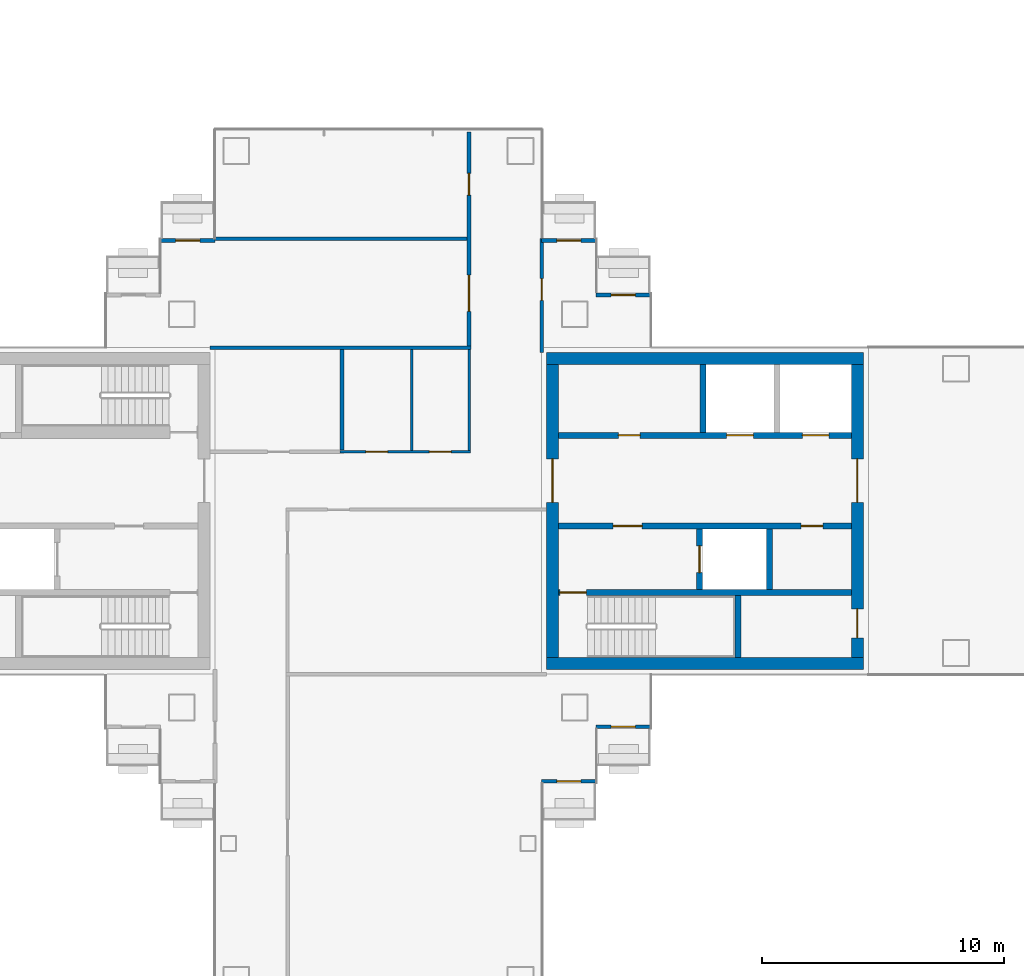
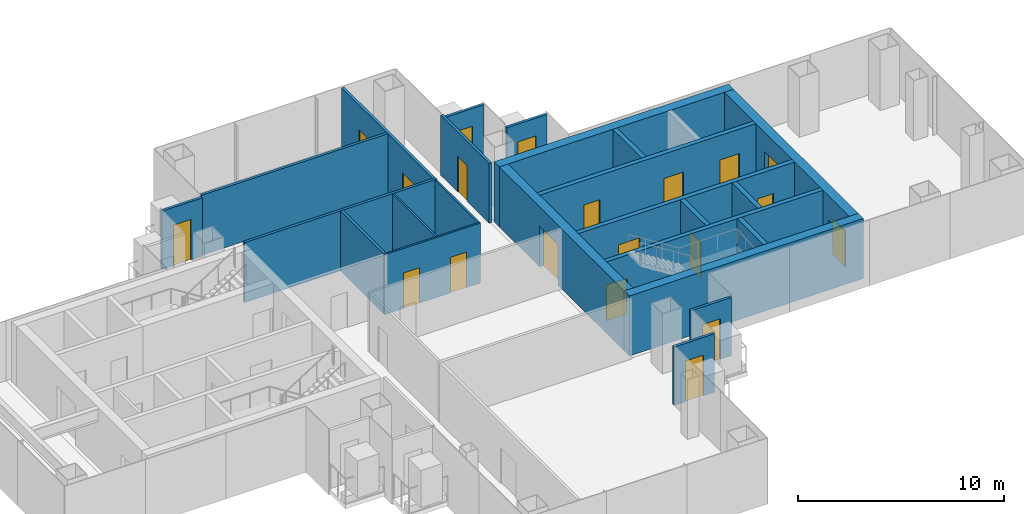
# One storey, part 10 of 16: 24 walls, 20 doors, 20 openings.
"""IFC4 building model written with IfcOpenShell, lengths in metres."""

from ifc_helpers import new_model, si_unit, direction, frame, frame_2d, origin, place, context, subcontext, project, spatial, rectangle, extrude, material, layer, layer_set, type_object, element, fill, save


model = new_model("IFC4")

# Units and contexts
model_context = context("Model", 3, precision=1e-05, world=origin(), true_north=direction((0.0, 1.0)))
body_context = subcontext(model_context, "Body", "Model", "MODEL_VIEW")
ifc_project = project(units=[si_unit("LENGTHUNIT", "METRE"), si_unit("AREAUNIT", "SQUARE_METRE"), si_unit("VOLUMEUNIT", "CUBIC_METRE"), si_unit("PLANEANGLEUNIT", "RADIAN"), si_unit("MASSUNIT", "GRAM", prefix="KILO")], contexts=[model_context])

# Site, building, storey
site_placement = place(None, origin())
site = spatial("IfcSite", under=ifc_project, at=site_placement, CompositionType="ELEMENT")
building_placement = place(site_placement, origin())
building = spatial("IfcBuilding", under=site, at=building_placement, Name="Shamsa Quay Exchange Towers", CompositionType="ELEMENT")
storey_placement = place(building_placement, frame((0.0, 0.0, 154.5)))
storey = spatial("IfcBuildingStorey", under=building, at=storey_placement, Name="L36", CompositionType="ELEMENT", Elevation=154.5)

# Wall, opening, door
ifc_material_1 = material(Name="Aluminium EN AW-6063 T6, black anodised, with black enamelled glass infill", Category="aluminium")
ifc_layer_1 = layer(ifc_material_1, 0.14990234375)
ifc_layer_set_1 = layer_set([ifc_layer_1], Name="BALCONY DOOR BAY WALL 150")
wall_type_1 = type_object("IfcWallType", Name="BALCONY DOOR BAY WALL 150", PredefinedType="SOLIDWALL", material=ifc_layer_set_1)
wall_1_placement = place(storey_placement, frame((-24.75, 8.925048828125, 0.0)))
wall_1 = element("IfcWall", 1, at=wall_1_placement, inside=storey, type_object=wall_type_1, Name="Door bay T1-PKEN L36", PredefinedType="SOLIDWALL", context=body_context, shape_type="SweptSolid", body=[
    extrude(rectangle(XDim=2.25, YDim=0.14990234375, at=frame_2d((1.125, 0.0))), origin(), (0.0, 0.0, 1.0), 3.449951171875),
])
opening_1_placement = place(wall_1_placement, frame((0.625, 0.0, 0.0)))
opening_1 = element("IfcOpeningElement", 2, at=opening_1_placement, cuts=wall_1, Name="Opening XD225", PredefinedType="OPENING", context=body_context, shape_type="SweptSolid", body=[
    extrude(rectangle(XDim=1.0, YDim=2.39990234375, at=frame_2d((0.5, 1.199951171875))), frame((0.0, 0.0849609375, 0.0), z_axis=(0.0, -1.0, 0.0), x_axis=(1.0, 0.0, 0.0)), (0.0, 0.0, 1.0), 0.169921875),
])
ifc_material_2 = material(Name="Aluminium EN AW-6063 T6, black anodised, with laminated glass leaf", Category="aluminium")
door_type_1 = type_object("IfcDoorType", Name="BALCONY DOOR 1000x2400", OperationType="SINGLE_SWING_LEFT", PredefinedType="DOOR", material=ifc_material_2)
door_1_placement = place(opening_1_placement, origin())
door_1 = element("IfcDoor", 3, at=door_1_placement, inside=storey, type_object=door_type_1, Name="Balcony door T1-PKEN L36", OperationType="SINGLE_SWING_RIGHT", OverallHeight=2.39990234375, OverallWidth=1.0, PredefinedType="DOOR", context=body_context, shape_type="SweptSolid", body=[
    extrude(rectangle(XDim=1.0, YDim=2.39990234375, at=frame_2d((0.5, 1.199951171875))), frame((0.0, 0.02490234375, 0.0), z_axis=(0.0, -1.0, 0.0), x_axis=(1.0, 0.0, 0.0)), (0.0, 0.0, 1.0), 0.050048828125),
])
fill(opening_1, door_1)

wall_2_placement = place(storey_placement, frame((-27.0, 11.175048828125, 0.0)))
wall_2 = element("IfcWall", 4, at=wall_2_placement, inside=storey, type_object=wall_type_1, Name="Door bay T1-PKEN L36", PredefinedType="SOLIDWALL", context=body_context, shape_type="SweptSolid", body=[
    extrude(rectangle(XDim=2.25, YDim=0.14990234375, at=frame_2d((1.125, 0.0))), origin(), (0.0, 0.0, 1.0), 3.449951171875),
])
opening_2_placement = place(wall_2_placement, frame((0.625, 0.0, 0.0)))
opening_2 = element("IfcOpeningElement", 5, at=opening_2_placement, cuts=wall_2, Name="Opening XD226", PredefinedType="OPENING", context=body_context, shape_type="SweptSolid", body=[
    extrude(rectangle(XDim=1.0, YDim=2.39990234375, at=frame_2d((0.5, 1.199951171875))), frame((0.0, 0.0849609375, 0.0), z_axis=(0.0, -1.0, 0.0), x_axis=(1.0, 0.0, 0.0)), (0.0, 0.0, 1.0), 0.169921875),
])
door_2_placement = place(opening_2_placement, origin())
door_2 = element("IfcDoor", 6, at=door_2_placement, inside=storey, type_object=door_type_1, Name="Balcony door T1-PKEN L36", OperationType="SINGLE_SWING_LEFT", OverallHeight=2.39990234375, OverallWidth=1.0, PredefinedType="DOOR", context=body_context, shape_type="SweptSolid", body=[
    extrude(rectangle(XDim=1.0, YDim=2.39990234375, at=frame_2d((0.5, 1.199951171875))), frame((0.0, 0.02490234375, 0.0), z_axis=(0.0, -1.0, 0.0), x_axis=(1.0, 0.0, 0.0)), (0.0, 0.0, 1.0), 0.050048828125),
])
fill(opening_2, door_2)

wall_3_placement = place(storey_placement, frame((-22.5, -8.925048828125, 0.0), z_axis=(0.0, 0.0, 1.0), x_axis=(-1.0, 0.0, 0.0)))
wall_3 = element("IfcWall", 7, at=wall_3_placement, inside=storey, type_object=wall_type_1, Name="Door bay T1-PKES L36", PredefinedType="SOLIDWALL", context=body_context, shape_type="SweptSolid", body=[
    extrude(rectangle(XDim=2.25, YDim=0.14990234375, at=frame_2d((1.125, 0.0))), origin(), (0.0, 0.0, 1.0), 3.449951171875),
])
opening_3_placement = place(wall_3_placement, frame((0.625, 0.0, 0.0)))
opening_3 = element("IfcOpeningElement", 8, at=opening_3_placement, cuts=wall_3, Name="Opening XD227", PredefinedType="OPENING", context=body_context, shape_type="SweptSolid", body=[
    extrude(rectangle(XDim=1.0, YDim=2.39990234375, at=frame_2d((0.5, 1.199951171875))), frame((0.0, 0.0849609375, 0.0), z_axis=(0.0, -1.0, 0.0), x_axis=(1.0, 0.0, 0.0)), (0.0, 0.0, 1.0), 0.169921875),
])
door_3_placement = place(opening_3_placement, origin())
door_3 = element("IfcDoor", 9, at=door_3_placement, inside=storey, type_object=door_type_1, Name="Balcony door T1-PKES L36", OperationType="SINGLE_SWING_RIGHT", OverallHeight=2.39990234375, OverallWidth=1.0, PredefinedType="DOOR", context=body_context, shape_type="SweptSolid", body=[
    extrude(rectangle(XDim=1.0, YDim=2.39990234375, at=frame_2d((0.5, 1.199951171875))), frame((0.0, 0.02490234375, 0.0), z_axis=(0.0, -1.0, 0.0), x_axis=(1.0, 0.0, 0.0)), (0.0, 0.0, 1.0), 0.050048828125),
])
fill(opening_3, door_3)

wall_4_placement = place(storey_placement, frame((-24.75, -11.175048828125, 0.0), z_axis=(0.0, 0.0, 1.0), x_axis=(-1.0, 0.0, 0.0)))
wall_4 = element("IfcWall", 10, at=wall_4_placement, inside=storey, type_object=wall_type_1, Name="Door bay T1-PKES L36", PredefinedType="SOLIDWALL", context=body_context, shape_type="SweptSolid", body=[
    extrude(rectangle(XDim=2.25, YDim=0.14990234375, at=frame_2d((1.125, 0.0))), origin(), (0.0, 0.0, 1.0), 3.449951171875),
])
opening_4_placement = place(wall_4_placement, frame((0.625, 0.0, 0.0)))
opening_4 = element("IfcOpeningElement", 11, at=opening_4_placement, cuts=wall_4, Name="Opening XD228", PredefinedType="OPENING", context=body_context, shape_type="SweptSolid", body=[
    extrude(rectangle(XDim=1.0, YDim=2.39990234375, at=frame_2d((0.5, 1.199951171875))), frame((0.0, 0.0849609375, 0.0), z_axis=(0.0, -1.0, 0.0), x_axis=(1.0, 0.0, 0.0)), (0.0, 0.0, 1.0), 0.169921875),
])
door_4_placement = place(opening_4_placement, origin())
door_4 = element("IfcDoor", 12, at=door_4_placement, inside=storey, type_object=door_type_1, Name="Balcony door T1-PKES L36", OperationType="SINGLE_SWING_LEFT", OverallHeight=2.39990234375, OverallWidth=1.0, PredefinedType="DOOR", context=body_context, shape_type="SweptSolid", body=[
    extrude(rectangle(XDim=1.0, YDim=2.39990234375, at=frame_2d((0.5, 1.199951171875))), frame((0.0, 0.02490234375, 0.0), z_axis=(0.0, -1.0, 0.0), x_axis=(1.0, 0.0, 0.0)), (0.0, 0.0, 1.0), 0.050048828125),
])
fill(opening_4, door_4)

wall_5_placement = place(storey_placement, frame((-42.75, 11.175048828125, 0.0)))
wall_5 = element("IfcWall", 13, at=wall_5_placement, inside=storey, type_object=wall_type_1, Name="Door bay T1-PKWN L36", PredefinedType="SOLIDWALL", context=body_context, shape_type="SweptSolid", body=[
    extrude(rectangle(XDim=2.25, YDim=0.14990234375, at=frame_2d((1.125, 0.0))), origin(), (0.0, 0.0, 1.0), 3.449951171875),
])
opening_5_placement = place(wall_5_placement, frame((0.625, 0.0, 0.0)))
opening_5 = element("IfcOpeningElement", 14, at=opening_5_placement, cuts=wall_5, Name="Opening XD229", PredefinedType="OPENING", context=body_context, shape_type="SweptSolid", body=[
    extrude(rectangle(XDim=1.0, YDim=2.39990234375, at=frame_2d((0.5, 1.199951171875))), frame((0.0, 0.0849609375, 0.0), z_axis=(0.0, -1.0, 0.0), x_axis=(1.0, 0.0, 0.0)), (0.0, 0.0, 1.0), 0.169921875),
])
door_5_placement = place(opening_5_placement, origin())
door_5 = element("IfcDoor", 15, at=door_5_placement, inside=storey, type_object=door_type_1, Name="Balcony door T1-PKWN L36", OperationType="SINGLE_SWING_LEFT", OverallHeight=2.39990234375, OverallWidth=1.0, PredefinedType="DOOR", context=body_context, shape_type="SweptSolid", body=[
    extrude(rectangle(XDim=1.0, YDim=2.39990234375, at=frame_2d((0.5, 1.199951171875))), frame((0.0, 0.02490234375, 0.0), z_axis=(0.0, -1.0, 0.0), x_axis=(1.0, 0.0, 0.0)), (0.0, 0.0, 1.0), 0.050048828125),
])
fill(opening_5, door_5)

# Walls
ifc_material_3 = material(Name="Concrete C60/75", Category="concrete")
ifc_layer_2 = layer(ifc_material_3, 0.5)
ifc_layer_set_2 = layer_set([ifc_layer_2], Name="CORE WALL 500 C60/75")
wall_type_2 = type_object("IfcWallType", Name="CORE WALL 500 C60/75", PredefinedType="SHEAR", material=ifc_layer_set_2)
for number, where, name in (
    (16, (-26.800048828125, -6.300048828125, 0.0), "Core wall T1A-R17-PS"),
    (17, (-26.800048828125, 6.300048828125, 0.0), "Core wall T1A-R17-PN"),
):
    element("IfcWall", number, at=place(storey_placement, frame(where)), inside=storey, type_object=wall_type_2, Name=name, PredefinedType="SHEAR", context=body_context, shape_type="SweptSolid", body=[
        extrude(rectangle(XDim=13.10009765625, YDim=0.5, at=frame_2d((6.550048828125, 0.0))), origin(), (0.0, 0.0, 1.0), 3.550048828125),
    ])

# Wall, opening, door
wall_6_placement = place(storey_placement, frame((-26.550048828125, 6.050048828125, 0.0), z_axis=(0.0, 0.0, 1.0), x_axis=(0.0, -1.0, 0.0)))
wall_6 = element("IfcWall", 18, at=wall_6_placement, inside=storey, type_object=wall_type_2, Name="Core wall T1A-R17-PF", PredefinedType="SHEAR", context=body_context, shape_type="SweptSolid", body=[
    extrude(rectangle(XDim=12.10009765625, YDim=0.5, at=frame_2d((6.050048828125, 0.0))), origin(), (0.0, 0.0, 1.0), 3.550048828125),
])
opening_6_placement = place(wall_6_placement, frame((3.89990234375, 0.0, 0.0)))
opening_6 = element("IfcOpeningElement", 19, at=opening_6_placement, cuts=wall_6, Name="Opening T1A-R17-LBD01", PredefinedType="OPENING", context=body_context, shape_type="SweptSolid", body=[
    extrude(rectangle(XDim=1.800048828125, YDim=2.39990234375, at=frame_2d((0.89990234375, 1.199951171875))), frame((0.0, 0.260009765625, 0.0), z_axis=(0.0, -1.0, 0.0), x_axis=(1.0, 0.0, 0.0)), (0.0, 0.0, 1.0), 0.52001953125),
])
ifc_material_4 = material(Name="Steel, fire rated", Category="steel")
door_type_2 = type_object("IfcDoorType", Name="LIFT LOBBY DOOR PAIR 1800", OperationType="DOUBLE_DOOR_SINGLE_SWING", PredefinedType="DOOR", material=ifc_material_4)
door_6_placement = place(opening_6_placement, origin())
door_6 = element("IfcDoor", 20, at=door_6_placement, inside=storey, type_object=door_type_2, Name="T1A-R17-LBD01", OperationType="DOUBLE_DOOR_SINGLE_SWING", OverallHeight=2.39990234375, OverallWidth=1.800048828125, PredefinedType="DOOR", context=body_context, shape_type="SweptSolid", body=[
    extrude(rectangle(XDim=1.800048828125, YDim=2.39990234375, at=frame_2d((0.89990234375, 1.199951171875))), frame((0.0, 0.02490234375, 0.0), z_axis=(0.0, -1.0, 0.0), x_axis=(1.0, 0.0, 0.0)), (0.0, 0.0, 1.0), 0.050048828125),
])
fill(opening_6, door_6)

# Wall, openings, doors
wall_7_placement = place(storey_placement, frame((-13.949951171875, 6.050048828125, 0.0), z_axis=(0.0, 0.0, 1.0), x_axis=(0.0, -1.0, 0.0)))
wall_7 = element("IfcWall", 21, at=wall_7_placement, inside=storey, type_object=wall_type_2, Name="Core wall T1A-R17-PB", PredefinedType="SHEAR", context=body_context, shape_type="SweptSolid", body=[
    extrude(rectangle(XDim=12.10009765625, YDim=0.5, at=frame_2d((6.050048828125, 0.0))), origin(), (0.0, 0.0, 1.0), 3.550048828125),
])
opening_7_placement = place(wall_7_placement, frame((10.10009765625, 0.0, 0.0)))
opening_7 = element("IfcOpeningElement", 22, at=opening_7_placement, cuts=wall_7, Name="Opening T1A-R17-RD02", PredefinedType="OPENING", context=body_context, shape_type="SweptSolid", body=[
    extrude(rectangle(XDim=1.199951171875, YDim=2.10009765625, at=frame_2d((0.60009765625, 1.050048828125))), frame((0.0, 0.260009765625, 0.0), z_axis=(0.0, -1.0, 0.0), x_axis=(1.0, 0.0, 0.0)), (0.0, 0.0, 1.0), 0.52001953125),
])
opening_8_placement = place(wall_7_placement, frame((3.89990234375, 0.0, 0.0)))
opening_8 = element("IfcOpeningElement", 23, at=opening_8_placement, cuts=wall_7, Name="Opening T1A-R17-LBD03", PredefinedType="OPENING", context=body_context, shape_type="SweptSolid", body=[
    extrude(rectangle(XDim=1.800048828125, YDim=2.39990234375, at=frame_2d((0.89990234375, 1.199951171875))), frame((0.0, 0.260009765625, 0.0), z_axis=(0.0, -1.0, 0.0), x_axis=(1.0, 0.0, 0.0)), (0.0, 0.0, 1.0), 0.52001953125),
])
door_7_placement = place(opening_8_placement, origin())
door_7 = element("IfcDoor", 24, at=door_7_placement, inside=storey, type_object=door_type_2, Name="T1A-R17-LBD03", OperationType="DOUBLE_DOOR_SINGLE_SWING", OverallHeight=2.39990234375, OverallWidth=1.800048828125, PredefinedType="DOOR", context=body_context, shape_type="SweptSolid", body=[
    extrude(rectangle(XDim=1.800048828125, YDim=2.39990234375, at=frame_2d((0.89990234375, 1.199951171875))), frame((0.0, 0.02490234375, 0.0), z_axis=(0.0, -1.0, 0.0), x_axis=(1.0, 0.0, 0.0)), (0.0, 0.0, 1.0), 0.050048828125),
])
fill(opening_8, door_7)
door_type_3 = type_object("IfcDoorType", Name="RISER ACCESS DOOR 1200", OperationType="SINGLE_SWING_LEFT", PredefinedType="DOOR", material=ifc_material_4)
door_8_placement = place(opening_7_placement, origin())
door_8 = element("IfcDoor", 25, at=door_8_placement, inside=storey, type_object=door_type_3, Name="T1A-R17-RD02", OperationType="SINGLE_SWING_RIGHT", OverallHeight=2.10009765625, OverallWidth=1.199951171875, PredefinedType="DOOR", context=body_context, shape_type="SweptSolid", body=[
    extrude(rectangle(XDim=1.199951171875, YDim=2.10009765625, at=frame_2d((0.60009765625, 1.050048828125))), frame((0.0, 0.02490234375, 0.0), z_axis=(0.0, -1.0, 0.0), x_axis=(1.0, 0.0, 0.0)), (0.0, 0.0, 1.0), 0.050048828125),
])
fill(opening_7, door_8)

ifc_material_5 = material(Name="Gypsum board partition on metal studs")
ifc_layer_3 = layer(ifc_material_5, 0.10009765625)
ifc_layer_set_3 = layer_set([ifc_layer_3], Name="Partition 100 mm NOT RATED")
wall_type_3 = type_object("IfcWallType", Name="Partition 100 mm NOT RATED", PredefinedType="PARTITIONING", material=ifc_layer_set_3)
wall_8_placement = place(storey_placement, frame((-35.324951171875, 2.4501953125, 0.0)))
wall_8 = element("IfcWall", 26, at=wall_8_placement, inside=storey, type_object=wall_type_3, Name="Partition T1-R17-W03", PredefinedType="PARTITIONING", context=body_context, shape_type="SweptSolid", body=[
    extrude(rectangle(XDim=5.375, YDim=0.10009765625, at=frame_2d((2.6875, 0.0))), origin(), (0.0, 0.0, 1.0), 3.550048828125),
])
opening_9_placement = place(wall_8_placement, frame((1.0625, 0.0, 0.0)))
opening_9 = element("IfcOpeningElement", 27, at=opening_9_placement, cuts=wall_8, Name="Opening T1-R17-D06", PredefinedType="OPENING", context=body_context, shape_type="SweptSolid", body=[
    extrude(rectangle(XDim=0.89990234375, YDim=2.10009765625, at=frame_2d((0.449951171875, 1.050048828125))), frame((0.0, 0.06005859375, 0.0), z_axis=(0.0, -1.0, 0.0), x_axis=(1.0, 0.0, 0.0)), (0.0, 0.0, 1.0), 0.1201171875),
])
opening_10_placement = place(wall_8_placement, frame((3.6875, 0.0, 0.0)))
opening_10 = element("IfcOpeningElement", 28, at=opening_10_placement, cuts=wall_8, Name="Opening T1-R17-D07", PredefinedType="OPENING", context=body_context, shape_type="SweptSolid", body=[
    extrude(rectangle(XDim=0.89990234375, YDim=2.10009765625, at=frame_2d((0.449951171875, 1.050048828125))), frame((0.0, 0.06005859375, 0.0), z_axis=(0.0, -1.0, 0.0), x_axis=(1.0, 0.0, 0.0)), (0.0, 0.0, 1.0), 0.1201171875),
])
ifc_material_6 = material(Name="Timber door leaf in a metal frame", Category="wood")
door_type_4 = type_object("IfcDoorType", Name="Door 900x2100 NOT RATED", OperationType="NOTDEFINED", PredefinedType="DOOR", material=ifc_material_6)
door_9_placement = place(opening_9_placement, origin())
door_9 = element("IfcDoor", 29, at=door_9_placement, inside=storey, type_object=door_type_4, Name="Door T1-R17-D06", OperationType="SINGLE_SWING_LEFT", OverallHeight=2.10009765625, OverallWidth=0.89990234375, PredefinedType="DOOR", context=body_context, shape_type="SweptSolid", body=[
    extrude(rectangle(XDim=0.89990234375, YDim=2.10009765625, at=frame_2d((0.449951171875, 1.050048828125))), frame((0.0, 0.02490234375, 0.0), z_axis=(0.0, -1.0, 0.0), x_axis=(1.0, 0.0, 0.0)), (0.0, 0.0, 1.0), 0.050048828125),
])
fill(opening_9, door_9)
door_10_placement = place(opening_10_placement, origin())
door_10 = element("IfcDoor", 30, at=door_10_placement, inside=storey, type_object=door_type_4, Name="Door T1-R17-D07", OperationType="SINGLE_SWING_LEFT", OverallHeight=2.10009765625, OverallWidth=0.89990234375, PredefinedType="DOOR", context=body_context, shape_type="SweptSolid", body=[
    extrude(rectangle(XDim=0.89990234375, YDim=2.10009765625, at=frame_2d((0.449951171875, 1.050048828125))), frame((0.0, 0.02490234375, 0.0), z_axis=(0.0, -1.0, 0.0), x_axis=(1.0, 0.0, 0.0)), (0.0, 0.0, 1.0), 0.050048828125),
])
fill(opening_10, door_10)

# Walls
for number, where, z_axis, x_axis, name in (
    (31, (-30.0, 2.500244140625, 0.0), (0.0, 0.0, 1.0), (0.0, 1.0, 0.0), "Partition T1-R17-W04"),
    (32, (-32.375, 2.500244140625, 0.0), (0.0, 0.0, 1.0), (0.0, 1.0, 0.0), "Partition T1-R17-W13"),
):
    element("IfcWall", number, at=place(storey_placement, frame(where, z_axis=z_axis, x_axis=x_axis)), inside=storey, type_object=wall_type_3, Name=name, PredefinedType="PARTITIONING", context=body_context, shape_type="SweptSolid", body=[
        extrude(rectangle(XDim=4.1748046875, YDim=0.10009765625, at=frame_2d((2.08740234375, 0.0))), origin(), (0.0, 0.0, 1.0), 3.550048828125),
    ])

# Wall, openings, doors
ifc_layer_4 = layer(ifc_material_5, 0.14990234375)
ifc_layer_set_4 = layer_set([ifc_layer_4], Name="Partition 150 mm EI 60")
wall_type_4 = type_object("IfcWallType", Name="Partition 150 mm EI 60", PredefinedType="PARTITIONING", material=ifc_layer_set_4)
wall_9_placement = place(storey_placement, frame((-30.0, 6.824951171875, 0.0), z_axis=(0.0, 0.0, 1.0), x_axis=(0.0, 1.0, 0.0)))
wall_9 = element("IfcWall", 33, at=wall_9_placement, inside=storey, type_object=wall_type_4, Name="Partition T1-R17-W01", PredefinedType="PARTITIONING", context=body_context, shape_type="SweptSolid", body=[
    extrude(rectangle(XDim=8.830078125, YDim=0.14990234375, at=frame_2d((4.4150390625, 0.0))), origin(), (0.0, 0.0, 1.0), 3.550048828125),
])
opening_11_placement = place(wall_9_placement, frame((1.425048828125, 0.0, 0.0)))
opening_11 = element("IfcOpeningElement", 34, at=opening_11_placement, cuts=wall_9, Name="Opening T1-R17-D08", PredefinedType="OPENING", context=body_context, shape_type="SweptSolid", body=[
    extrude(rectangle(XDim=1.5, YDim=2.10009765625, at=frame_2d((0.75, 1.050048828125))), frame((0.0, 0.0849609375, 0.0), z_axis=(0.0, -1.0, 0.0), x_axis=(1.0, 0.0, 0.0)), (0.0, 0.0, 1.0), 0.169921875),
])
opening_12_placement = place(wall_9_placement, frame((6.22509765625, 0.0, 0.0)))
opening_12 = element("IfcOpeningElement", 35, at=opening_12_placement, cuts=wall_9, Name="Opening T1-R17-D09", PredefinedType="OPENING", context=body_context, shape_type="SweptSolid", body=[
    extrude(rectangle(XDim=0.89990234375, YDim=2.10009765625, at=frame_2d((0.449951171875, 1.050048828125))), frame((0.0, 0.0849609375, 0.0), z_axis=(0.0, -1.0, 0.0), x_axis=(1.0, 0.0, 0.0)), (0.0, 0.0, 1.0), 0.169921875),
])
door_type_5 = type_object("IfcDoorType", Name="Door 1500x2100 FD30S pair", OperationType="NOTDEFINED", PredefinedType="DOOR", material=ifc_material_6)
door_11_placement = place(opening_11_placement, origin())
door_11 = element("IfcDoor", 36, at=door_11_placement, inside=storey, type_object=door_type_5, Name="Door T1-R17-D08", OperationType="DOUBLE_DOOR_SINGLE_SWING", OverallHeight=2.10009765625, OverallWidth=1.5, PredefinedType="DOOR", context=body_context, shape_type="SweptSolid", body=[
    extrude(rectangle(XDim=1.5, YDim=2.10009765625, at=frame_2d((0.75, 1.050048828125))), frame((0.0, 0.02490234375, 0.0), z_axis=(0.0, -1.0, 0.0), x_axis=(1.0, 0.0, 0.0)), (0.0, 0.0, 1.0), 0.050048828125),
])
fill(opening_11, door_11)
door_type_6 = type_object("IfcDoorType", Name="Door 900x2100 FD30S", OperationType="NOTDEFINED", PredefinedType="DOOR", material=ifc_material_6)
door_12_placement = place(opening_12_placement, origin())
door_12 = element("IfcDoor", 37, at=door_12_placement, inside=storey, type_object=door_type_6, Name="Door T1-R17-D09", OperationType="SINGLE_SWING_RIGHT", OverallHeight=2.10009765625, OverallWidth=0.89990234375, PredefinedType="DOOR", context=body_context, shape_type="SweptSolid", body=[
    extrude(rectangle(XDim=0.89990234375, YDim=2.10009765625, at=frame_2d((0.449951171875, 1.050048828125))), frame((0.0, 0.02490234375, 0.0), z_axis=(0.0, -1.0, 0.0), x_axis=(1.0, 0.0, 0.0)), (0.0, 0.0, 1.0), 0.050048828125),
])
fill(opening_12, door_12)

# Wall, opening, door
wall_10_placement = place(storey_placement, frame((-27.0, 11.25, 0.0), z_axis=(0.0, 0.0, 1.0), x_axis=(0.0, -1.0, 0.0)))
wall_10 = element("IfcWall", 38, at=wall_10_placement, inside=storey, type_object=wall_type_4, Name="Partition T1-R17-W09", PredefinedType="PARTITIONING", context=body_context, shape_type="SweptSolid", body=[
    extrude(rectangle(XDim=4.699951171875, YDim=0.14990234375, at=frame_2d((2.35009765625, 0.0))), origin(), (0.0, 0.0, 1.0), 3.550048828125),
])
opening_13_placement = place(wall_10_placement, frame((1.64990234375, 0.0, 0.0)))
opening_13 = element("IfcOpeningElement", 39, at=opening_13_placement, cuts=wall_10, Name="Opening T1-R17-D10", PredefinedType="OPENING", context=body_context, shape_type="SweptSolid", body=[
    extrude(rectangle(XDim=0.89990234375, YDim=2.10009765625, at=frame_2d((0.449951171875, 1.050048828125))), frame((0.0, 0.0849609375, 0.0), z_axis=(0.0, -1.0, 0.0), x_axis=(1.0, 0.0, 0.0)), (0.0, 0.0, 1.0), 0.169921875),
])
door_13_placement = place(opening_13_placement, origin())
door_13 = element("IfcDoor", 40, at=door_13_placement, inside=storey, type_object=door_type_6, Name="Door T1-R17-D10", OperationType="SINGLE_SWING_LEFT", OverallHeight=2.10009765625, OverallWidth=0.89990234375, PredefinedType="DOOR", context=body_context, shape_type="SweptSolid", body=[
    extrude(rectangle(XDim=0.89990234375, YDim=2.10009765625, at=frame_2d((0.449951171875, 1.050048828125))), frame((0.0, 0.02490234375, 0.0), z_axis=(0.0, -1.0, 0.0), x_axis=(1.0, 0.0, 0.0)), (0.0, 0.0, 1.0), 0.050048828125),
])
fill(opening_13, door_13)

# Walls
wall_11_placement = place(storey_placement, frame((-30.074951171875, 11.25, 0.0), z_axis=(0.0, 0.0, 1.0), x_axis=(-1.0, 0.0, 0.0)))
element("IfcWall", 41, at=wall_11_placement, inside=storey, type_object=wall_type_4, Name="Partition T1-R17-W10", PredefinedType="PARTITIONING", context=body_context, shape_type="SweptSolid", body=[
    extrude(rectangle(XDim=10.425048828125, YDim=0.14990234375, at=frame_2d((5.21240234375, 0.0))), origin(), (0.0, 0.0, 1.0), 3.550048828125),
])
wall_12_placement = place(storey_placement, frame((-40.699951171875, 6.75, 0.0)))
element("IfcWall", 42, at=wall_12_placement, inside=storey, type_object=wall_type_4, Name="Partition T1-R17-W11", PredefinedType="PARTITIONING", context=body_context, shape_type="SweptSolid", body=[
    extrude(rectangle(XDim=10.77490234375, YDim=0.14990234375, at=frame_2d((5.387451171875, 0.0))), origin(), (0.0, 0.0, 1.0), 3.550048828125),
])
wall_13_placement = place(storey_placement, frame((-35.25, 2.525146484375, 0.0), z_axis=(0.0, 0.0, 1.0), x_axis=(0.0, 1.0, 0.0)))
element("IfcWall", 43, at=wall_13_placement, inside=storey, type_object=wall_type_4, Name="Partition T1-R17-W12", PredefinedType="PARTITIONING", context=body_context, shape_type="SweptSolid", body=[
    extrude(rectangle(XDim=4.14990234375, YDim=0.14990234375, at=frame_2d((2.074951171875, 0.0))), origin(), (0.0, 0.0, 1.0), 3.550048828125),
])

# Wall, opening, door
ifc_material_7 = material(Name="Concrete C50/60", Category="concrete")
ifc_layer_5 = layer(ifc_material_7, 0.25)
ifc_layer_set_5 = layer_set([ifc_layer_5], Name="SHAFT WALL 250 C50/60")
wall_type_5 = type_object("IfcWallType", Name="SHAFT WALL 250 C50/60", PredefinedType="SHEAR", material=ifc_layer_set_5)
wall_14_placement = place(storey_placement, frame((-14.199951171875, -3.375, 0.0), z_axis=(0.0, 0.0, 1.0), x_axis=(-1.0, 0.0, 0.0)))
wall_14 = element("IfcWall", 44, at=wall_14_placement, inside=storey, type_object=wall_type_5, Name="Shaft wall T1A-R17-STL", PredefinedType="SHEAR", context=body_context, shape_type="SweptSolid", body=[
    extrude(rectangle(XDim=12.10009765625, YDim=0.25, at=frame_2d((6.050048828125, 0.0))), origin(), (0.0, 0.0, 1.0), 3.550048828125),
])
opening_14_placement = place(wall_14_placement, frame((10.949951171875, 0.0, 0.0)))
opening_14 = element("IfcOpeningElement", 45, at=opening_14_placement, cuts=wall_14, Name="Opening T1A-R17-SD04", PredefinedType="OPENING", context=body_context, shape_type="SweptSolid", body=[
    extrude(rectangle(XDim=1.10009765625, YDim=2.10009765625, at=frame_2d((0.550048828125, 1.050048828125))), frame((0.0, 0.135009765625, 0.0), z_axis=(0.0, -1.0, 0.0), x_axis=(1.0, 0.0, 0.0)), (0.0, 0.0, 1.0), 0.27001953125),
])
door_type_7 = type_object("IfcDoorType", Name="STAIR DOOR 1100", OperationType="SINGLE_SWING_LEFT", PredefinedType="DOOR", material=ifc_material_4)
door_14_placement = place(opening_14_placement, origin())
door_14 = element("IfcDoor", 46, at=door_14_placement, inside=storey, type_object=door_type_7, Name="T1A-R17-SD04", OperationType="SINGLE_SWING_RIGHT", OverallHeight=2.10009765625, OverallWidth=1.10009765625, PredefinedType="DOOR", context=body_context, shape_type="SweptSolid", body=[
    extrude(rectangle(XDim=1.10009765625, YDim=2.10009765625, at=frame_2d((0.550048828125, 1.050048828125))), frame((0.0, 0.02490234375, 0.0), z_axis=(0.0, -1.0, 0.0), x_axis=(1.0, 0.0, 0.0)), (0.0, 0.0, 1.0), 0.050048828125),
])
fill(opening_14, door_14)

# Wall
wall_15_placement = place(storey_placement, frame((-18.875, -6.050048828125, 0.0), z_axis=(0.0, 0.0, 1.0), x_axis=(0.0, 1.0, 0.0)))
element("IfcWall", 47, at=wall_15_placement, inside=storey, type_object=wall_type_5, Name="Shaft wall T1A-R17-STF", PredefinedType="SHEAR", context=body_context, shape_type="SweptSolid", body=[
    extrude(rectangle(XDim=2.550048828125, YDim=0.25, at=frame_2d((1.27490234375, 0.0))), origin(), (0.0, 0.0, 1.0), 3.550048828125),
])

# Wall, openings, doors
wall_16_placement = place(storey_placement, frame((-14.199951171875, -0.625, 0.0), z_axis=(0.0, 0.0, 1.0), x_axis=(-1.0, 0.0, 0.0)))
wall_16 = element("IfcWall", 48, at=wall_16_placement, inside=storey, type_object=wall_type_5, Name="Shaft wall T1A-R17-B", PredefinedType="SHEAR", context=body_context, shape_type="SweptSolid", body=[
    extrude(rectangle(XDim=12.10009765625, YDim=0.25, at=frame_2d((6.050048828125, 0.0))), origin(), (0.0, 0.0, 1.0), 3.550048828125),
])
opening_15_placement = place(wall_16_placement, frame((8.64990234375, 0.0, 0.0)))
opening_15 = element("IfcOpeningElement", 49, at=opening_15_placement, cuts=wall_16, Name="Opening T1A-R17-FD05", PredefinedType="OPENING", context=body_context, shape_type="SweptSolid", body=[
    extrude(rectangle(XDim=1.199951171875, YDim=2.10009765625, at=frame_2d((0.60009765625, 1.050048828125))), frame((0.0, 0.135009765625, 0.0), z_axis=(0.0, -1.0, 0.0), x_axis=(1.0, 0.0, 0.0)), (0.0, 0.0, 1.0), 0.27001953125),
])
opening_16_placement = place(wall_16_placement, frame((1.175048828125, 0.0, 0.0)))
opening_16 = element("IfcOpeningElement", 50, at=opening_16_placement, cuts=wall_16, Name="Opening T1A-R17-SV06", PredefinedType="OPENING", context=body_context, shape_type="SweptSolid", body=[
    extrude(rectangle(XDim=0.89990234375, YDim=2.10009765625, at=frame_2d((0.449951171875, 1.050048828125))), frame((0.0, 0.135009765625, 0.0), z_axis=(0.0, -1.0, 0.0), x_axis=(1.0, 0.0, 0.0)), (0.0, 0.0, 1.0), 0.27001953125),
])
door_type_8 = type_object("IfcDoorType", Name="FIRE SERVICE LOBBY DOOR 1200", OperationType="SINGLE_SWING_LEFT", PredefinedType="DOOR", material=ifc_material_4)
door_15_placement = place(opening_15_placement, origin())
door_15 = element("IfcDoor", 51, at=door_15_placement, inside=storey, type_object=door_type_8, Name="T1A-R17-FD05", OperationType="SINGLE_SWING_RIGHT", OverallHeight=2.10009765625, OverallWidth=1.199951171875, PredefinedType="DOOR", context=body_context, shape_type="SweptSolid", body=[
    extrude(rectangle(XDim=1.199951171875, YDim=2.10009765625, at=frame_2d((0.60009765625, 1.050048828125))), frame((0.0, 0.02490234375, 0.0), z_axis=(0.0, -1.0, 0.0), x_axis=(1.0, 0.0, 0.0)), (0.0, 0.0, 1.0), 0.050048828125),
])
fill(opening_15, door_15)
door_type_9 = type_object("IfcDoorType", Name="SERVICE ROOM DOOR 900", OperationType="SINGLE_SWING_LEFT", PredefinedType="DOOR", material=ifc_material_4)
door_16_placement = place(opening_16_placement, origin())
door_16 = element("IfcDoor", 52, at=door_16_placement, inside=storey, type_object=door_type_9, Name="T1A-R17-SV06", OperationType="SINGLE_SWING_LEFT", OverallHeight=2.10009765625, OverallWidth=0.89990234375, PredefinedType="DOOR", context=body_context, shape_type="SweptSolid", body=[
    extrude(rectangle(XDim=0.89990234375, YDim=2.10009765625, at=frame_2d((0.449951171875, 1.050048828125))), frame((0.0, 0.02490234375, 0.0), z_axis=(0.0, -1.0, 0.0), x_axis=(1.0, 0.0, 0.0)), (0.0, 0.0, 1.0), 0.050048828125),
])
fill(opening_16, door_16)

# Wall, opening, door
wall_17_placement = place(storey_placement, frame((-20.47509765625, -3.25, 0.0), z_axis=(0.0, 0.0, 1.0), x_axis=(0.0, 1.0, 0.0)))
wall_17 = element("IfcWall", 53, at=wall_17_placement, inside=storey, type_object=wall_type_5, Name="Shaft wall T1A-R17-FFF", PredefinedType="SHEAR", context=body_context, shape_type="SweptSolid", body=[
    extrude(rectangle(XDim=2.5, YDim=0.25, at=frame_2d((1.25, 0.0))), origin(), (0.0, 0.0, 1.0), 3.550048828125),
])
opening_17_placement = place(wall_17_placement, frame((0.699951171875, 0.0, 0.0)))
opening_17 = element("IfcOpeningElement", 54, at=opening_17_placement, cuts=wall_17, Name="Opening T1A-R17-LDF07", PredefinedType="OPENING", context=body_context, shape_type="SweptSolid", body=[
    extrude(rectangle(XDim=1.10009765625, YDim=2.10009765625, at=frame_2d((0.550048828125, 1.050048828125))), frame((0.0, 0.135009765625, 0.0), z_axis=(0.0, -1.0, 0.0), x_axis=(1.0, 0.0, 0.0)), (0.0, 0.0, 1.0), 0.27001953125),
])
door_type_10 = type_object("IfcDoorType", Name="FIRE SERVICE LANDING DOOR 1100", OperationType="SLIDING_TO_LEFT", PredefinedType="DOOR", material=ifc_material_4)
door_17_placement = place(opening_17_placement, origin())
door_17 = element("IfcDoor", 55, at=door_17_placement, inside=storey, type_object=door_type_10, Name="T1A-R17-LDF07", OperationType="SLIDING_TO_LEFT", OverallHeight=2.10009765625, OverallWidth=1.10009765625, PredefinedType="DOOR", context=body_context, shape_type="SweptSolid", body=[
    extrude(rectangle(XDim=1.10009765625, YDim=2.10009765625, at=frame_2d((0.550048828125, 1.050048828125))), frame((0.0, 0.02490234375, 0.0), z_axis=(0.0, -1.0, 0.0), x_axis=(1.0, 0.0, 0.0)), (0.0, 0.0, 1.0), 0.050048828125),
])
fill(opening_17, door_17)

# Wall
wall_18_placement = place(storey_placement, frame((-17.574951171875, -3.25, 0.0), z_axis=(0.0, 0.0, 1.0), x_axis=(0.0, 1.0, 0.0)))
element("IfcWall", 56, at=wall_18_placement, inside=storey, type_object=wall_type_5, Name="Shaft wall T1A-R17-FFB", PredefinedType="SHEAR", context=body_context, shape_type="SweptSolid", body=[
    extrude(rectangle(XDim=2.5, YDim=0.25, at=frame_2d((1.25, 0.0))), origin(), (0.0, 0.0, 1.0), 3.550048828125),
])

# Wall, openings, doors
wall_19_placement = place(storey_placement, frame((-26.300048828125, 3.125, 0.0)))
wall_19 = element("IfcWall", 57, at=wall_19_placement, inside=storey, type_object=wall_type_5, Name="Shaft wall T1A-R17-N", PredefinedType="SHEAR", context=body_context, shape_type="SweptSolid", body=[
    extrude(rectangle(XDim=12.10009765625, YDim=0.25, at=frame_2d((6.050048828125, 0.0))), origin(), (0.0, 0.0, 1.0), 3.550048828125),
])
opening_18_placement = place(wall_19_placement, frame((6.949951171875, 0.0, 0.0)))
opening_18 = element("IfcOpeningElement", 58, at=opening_18_placement, cuts=wall_19, Name="Opening T1A-R17-LD08", PredefinedType="OPENING", context=body_context, shape_type="SweptSolid", body=[
    extrude(rectangle(XDim=1.10009765625, YDim=2.10009765625, at=frame_2d((0.550048828125, 1.050048828125))), frame((0.0, 0.135009765625, 0.0), z_axis=(0.0, -1.0, 0.0), x_axis=(1.0, 0.0, 0.0)), (0.0, 0.0, 1.0), 0.27001953125),
])
opening_19_placement = place(wall_19_placement, frame((10.074951171875, 0.0, 0.0)))
opening_19 = element("IfcOpeningElement", 59, at=opening_19_placement, cuts=wall_19, Name="Opening T1A-R17-LD09", PredefinedType="OPENING", context=body_context, shape_type="SweptSolid", body=[
    extrude(rectangle(XDim=1.10009765625, YDim=2.10009765625, at=frame_2d((0.550048828125, 1.050048828125))), frame((0.0, 0.135009765625, 0.0), z_axis=(0.0, -1.0, 0.0), x_axis=(1.0, 0.0, 0.0)), (0.0, 0.0, 1.0), 0.27001953125),
])
opening_20_placement = place(wall_19_placement, frame((2.47509765625, 0.0, 0.0)))
opening_20 = element("IfcOpeningElement", 60, at=opening_20_placement, cuts=wall_19, Name="Opening T1A-R17-SV10", PredefinedType="OPENING", context=body_context, shape_type="SweptSolid", body=[
    extrude(rectangle(XDim=0.89990234375, YDim=2.10009765625, at=frame_2d((0.449951171875, 1.050048828125))), frame((0.0, 0.135009765625, 0.0), z_axis=(0.0, -1.0, 0.0), x_axis=(1.0, 0.0, 0.0)), (0.0, 0.0, 1.0), 0.27001953125),
])
door_type_11 = type_object("IfcDoorType", Name="LANDING DOOR 1100", OperationType="SLIDING_TO_LEFT", PredefinedType="DOOR", material=ifc_material_4)
door_18_placement = place(opening_18_placement, origin())
door_18 = element("IfcDoor", 61, at=door_18_placement, inside=storey, type_object=door_type_11, Name="T1A-R17-LD08", OperationType="SLIDING_TO_LEFT", OverallHeight=2.10009765625, OverallWidth=1.10009765625, PredefinedType="DOOR", context=body_context, shape_type="SweptSolid", body=[
    extrude(rectangle(XDim=1.10009765625, YDim=2.10009765625, at=frame_2d((0.550048828125, 1.050048828125))), frame((0.0, 0.02490234375, 0.0), z_axis=(0.0, -1.0, 0.0), x_axis=(1.0, 0.0, 0.0)), (0.0, 0.0, 1.0), 0.050048828125),
])
fill(opening_18, door_18)
door_19_placement = place(opening_19_placement, origin())
door_19 = element("IfcDoor", 62, at=door_19_placement, inside=storey, type_object=door_type_11, Name="T1A-R17-LD09", OperationType="SLIDING_TO_LEFT", OverallHeight=2.10009765625, OverallWidth=1.10009765625, PredefinedType="DOOR", context=body_context, shape_type="SweptSolid", body=[
    extrude(rectangle(XDim=1.10009765625, YDim=2.10009765625, at=frame_2d((0.550048828125, 1.050048828125))), frame((0.0, 0.02490234375, 0.0), z_axis=(0.0, -1.0, 0.0), x_axis=(1.0, 0.0, 0.0)), (0.0, 0.0, 1.0), 0.050048828125),
])
fill(opening_19, door_19)
door_20_placement = place(opening_20_placement, origin())
door_20 = element("IfcDoor", 63, at=door_20_placement, inside=storey, type_object=door_type_9, Name="T1A-R17-SV10", OperationType="SINGLE_SWING_LEFT", OverallHeight=2.10009765625, OverallWidth=0.89990234375, PredefinedType="DOOR", context=body_context, shape_type="SweptSolid", body=[
    extrude(rectangle(XDim=0.89990234375, YDim=2.10009765625, at=frame_2d((0.449951171875, 1.050048828125))), frame((0.0, 0.02490234375, 0.0), z_axis=(0.0, -1.0, 0.0), x_axis=(1.0, 0.0, 0.0)), (0.0, 0.0, 1.0), 0.050048828125),
])
fill(opening_20, door_20)

# Wall
wall_20_placement = place(storey_placement, frame((-20.324951171875, 3.25, 0.0), z_axis=(0.0, 0.0, 1.0), x_axis=(0.0, 1.0, 0.0)))
element("IfcWall", 64, at=wall_20_placement, inside=storey, type_object=wall_type_5, Name="Shaft wall T1A-R17-D1", PredefinedType="SHEAR", context=body_context, shape_type="SweptSolid", body=[
    extrude(rectangle(XDim=2.800048828125, YDim=0.25, at=frame_2d((1.39990234375, 0.0))), origin(), (0.0, 0.0, 1.0), 3.550048828125),
])

save(model, "model.ifc")
